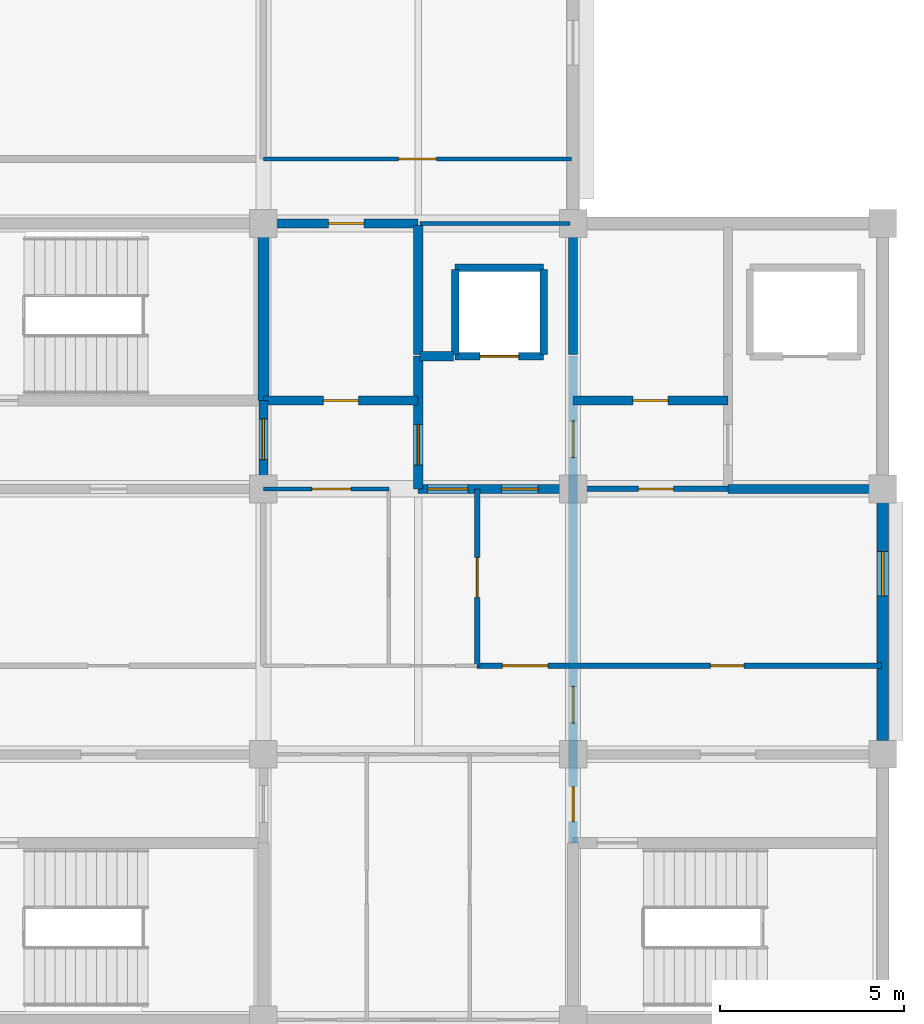
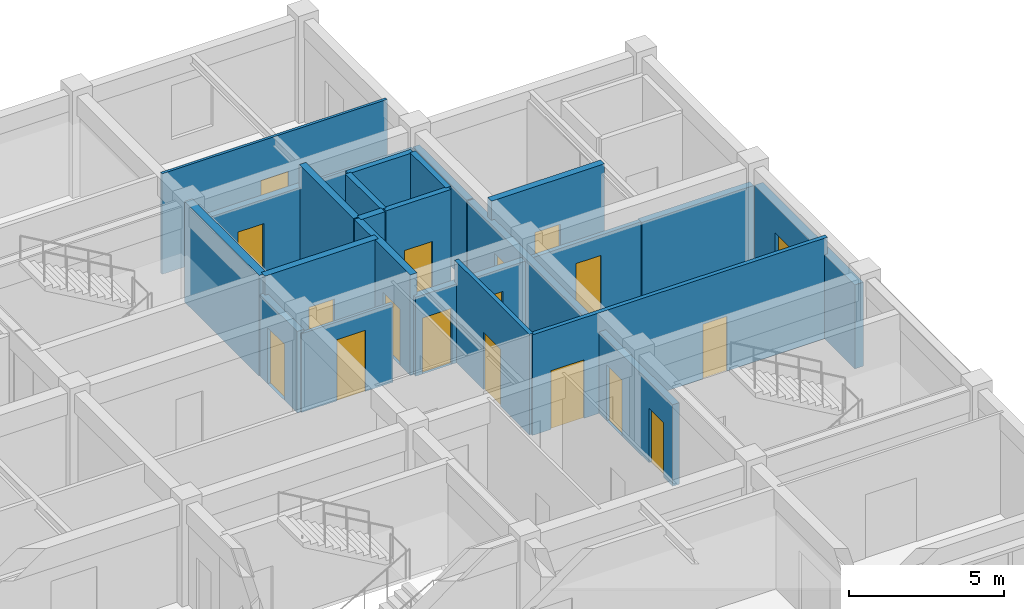
# One storey, part 22 of 27: 23 walls, 17 doors, 1 window, 18 openings.
"""IFC4 building model written with IfcOpenShell, lengths in metres."""

from ifc_helpers import new_model, si_unit, direction, frame, frame_2d, origin, place, context, subcontext, project, spatial, rectangle, extrude, material, layer, layer_set, type_object, element, fill, save


model = new_model("IFC4")

# Units and contexts
model_context = context("Model", 3, precision=1e-05, world=origin(), true_north=direction((0.0, 1.0)))
body_context = subcontext(model_context, "Body", "Model", "MODEL_VIEW")
ifc_project = project(units=[si_unit("LENGTHUNIT", "METRE"), si_unit("AREAUNIT", "SQUARE_METRE"), si_unit("VOLUMEUNIT", "CUBIC_METRE"), si_unit("PLANEANGLEUNIT", "RADIAN"), si_unit("MASSUNIT", "GRAM", prefix="KILO")], contexts=[model_context])

# Site, building, storey
site_placement = place(None, origin())
site = spatial("IfcSite", under=ifc_project, at=site_placement, CompositionType="ELEMENT")
building_placement = place(site_placement, origin())
building = spatial("IfcBuilding", under=site, at=building_placement, Name="Chengyuan Square Courthouse", CompositionType="ELEMENT")
storey_placement = place(building_placement, frame((0.0, 0.0, 39.300048828125)))
storey = spatial("IfcBuildingStorey", under=building, at=storey_placement, Name="L09", CompositionType="ELEMENT", Elevation=39.300048828125)

# Wall, opening, window
ifc_material_1 = material(Name="Concrete C40", Category="concrete")
ifc_layer_1 = layer(ifc_material_1, 0.320068359375)
ifc_layer_set_1 = layer_set([ifc_layer_1], Name="Concrete C40")
wall_type_1 = type_object("IfcWallType", Name="WL-EW3", PredefinedType="STANDARD", material=ifc_layer_set_1)
wall_1_placement = place(storey_placement, frame((126.0, 93.969970703125, 0.0), z_axis=(0.0, 0.0, 1.0), x_axis=(0.0, 1.0, 0.0)))
wall_1 = element("IfcWall", 1, at=wall_1_placement, inside=storey, type_object=wall_type_1, Name="Exterior Wall WL-L09-E426", PredefinedType="STANDARD", context=body_context, shape_type="SweptSolid", body=[
    extrude(rectangle(XDim=6.4599609375, YDim=0.320068359375, at=frame_2d((3.22998046875, 0.0))), origin(), (0.0, 0.0, 1.0), 3.300048828125),
])
opening_1_placement = place(wall_1_placement, frame((3.929931640625, 0.0, 0.85009765625)))
opening_1 = element("IfcOpeningElement", 2, at=opening_1_placement, cuts=wall_1, Name="Opening WN-168", PredefinedType="OPENING", context=body_context, shape_type="SweptSolid", body=[
    extrude(rectangle(XDim=1.199951171875, YDim=1.3798828125, at=frame_2d((0.60009765625, 0.68994140625))), frame((0.0, 0.172119140625, 0.0), z_axis=(0.0, -1.0, 0.0), x_axis=(1.0, 0.0, 0.0)), (0.0, 0.0, 1.0), 0.343994140625),
])
ifc_material_2 = material(Name="Thermally Broken Aluminium Triple Low-E Window", Category="aluminium")
window_type = type_object("IfcWindowType", Name="WT-14", PartitioningType="SINGLE_PANEL", PredefinedType="WINDOW", material=ifc_material_2)
window_placement = place(opening_1_placement, origin())
window = element("IfcWindow", 3, at=window_placement, inside=storey, type_object=window_type, Name="Facade Window WN-168", OverallHeight=1.3798828125, OverallWidth=1.199951171875, PartitioningType="SINGLE_PANEL", PredefinedType="WINDOW", context=body_context, shape_type="SweptSolid", body=[
    extrude(rectangle(XDim=1.199951171875, YDim=1.3798828125, at=frame_2d((0.60009765625, 0.68994140625))), frame((0.0, 0.030029296875, 0.0), z_axis=(0.0, -1.0, 0.0), x_axis=(1.0, 0.0, 0.0)), (0.0, 0.0, 1.0), 0.06005859375),
])
fill(opening_1, window)

# Wall, openings, doors
ifc_layer_2 = layer(ifc_material_1, 0.25)
ifc_layer_set_2 = layer_set([ifc_layer_2], Name="Concrete C40")
wall_type_2 = type_object("IfcWallType", Name="WL-FW1", PredefinedType="STANDARD", material=ifc_layer_set_2)
wall_2_placement = place(storey_placement, frame((113.39990234375, 100.800048828125, 0.0), z_axis=(0.0, 0.0, 1.0), x_axis=(1.0, 0.0, 0.0)))
wall_2 = element("IfcWall", 4, at=wall_2_placement, inside=storey, type_object=wall_type_2, Name="Interior Wall WL-L09-I3137", PredefinedType="STANDARD", context=body_context, shape_type="SweptSolid", body=[
    extrude(rectangle(XDim=4.2001953125, YDim=0.25, at=frame_2d((2.10009765625, 0.0))), origin(), (0.0, 0.0, 1.0), 3.099853515625),
])
opening_2_placement = place(wall_2_placement, frame((0.25, 0.0, 0.0)))
opening_2 = element("IfcOpeningElement", 5, at=opening_2_placement, cuts=wall_2, Name="Opening DR-2694", PredefinedType="OPENING", context=body_context, shape_type="SweptSolid", body=[
    extrude(rectangle(XDim=1.10009765625, YDim=2.199951171875, at=frame_2d((0.550048828125, 1.10009765625))), frame((0.0, 0.136962890625, 0.0), z_axis=(0.0, -1.0, 0.0), x_axis=(1.0, 0.0, 0.0)), (0.0, 0.0, 1.0), 0.27392578125),
])
opening_3_placement = place(wall_2_placement, frame((2.25244140625, 0.0, 0.0)))
opening_3 = element("IfcOpeningElement", 6, at=opening_3_placement, cuts=wall_2, Name="Opening DR-2695", PredefinedType="OPENING", context=body_context, shape_type="SweptSolid", body=[
    extrude(rectangle(XDim=1.0, YDim=2.199951171875, at=frame_2d((0.5, 1.10009765625))), frame((0.0, 0.136962890625, 0.0), z_axis=(0.0, -1.0, 0.0), x_axis=(1.0, 0.0, 0.0)), (0.0, 0.0, 1.0), 0.27392578125),
])
ifc_material_3 = material(Name="Steel Q235B Fire Door", Category="steel")
door_type_1 = type_object("IfcDoorType", Name="DT-10", OperationType="NOTDEFINED", PredefinedType="DOOR", material=ifc_material_3)
door_1_placement = place(opening_2_placement, origin())
door_1 = element("IfcDoor", 7, at=door_1_placement, inside=storey, type_object=door_type_1, Name="Interior Door DR-2694", OperationType="SINGLE_SWING_RIGHT", OverallHeight=2.199951171875, OverallWidth=1.10009765625, PredefinedType="DOOR", context=body_context, shape_type="SweptSolid", body=[
    extrude(rectangle(XDim=1.10009765625, YDim=2.199951171875, at=frame_2d((0.550048828125, 1.10009765625))), frame((0.0, 0.02490234375, 0.0), z_axis=(0.0, -1.0, 0.0), x_axis=(1.0, 0.0, 0.0)), (0.0, 0.0, 1.0), 0.050048828125),
])
fill(opening_2, door_1)
door_type_2 = type_object("IfcDoorType", Name="DT-11", OperationType="NOTDEFINED", PredefinedType="DOOR", material=ifc_material_3)
door_2_placement = place(opening_3_placement, origin())
door_2 = element("IfcDoor", 8, at=door_2_placement, inside=storey, type_object=door_type_2, Name="Interior Door DR-2695", OperationType="SINGLE_SWING_LEFT", OverallHeight=2.199951171875, OverallWidth=1.0, PredefinedType="DOOR", context=body_context, shape_type="SweptSolid", body=[
    extrude(rectangle(XDim=1.0, YDim=2.199951171875, at=frame_2d((0.5, 1.10009765625))), frame((0.0, 0.02490234375, 0.0), z_axis=(0.0, -1.0, 0.0), x_axis=(1.0, 0.0, 0.0)), (0.0, 0.0, 1.0), 0.050048828125),
])
fill(opening_3, door_2)

# Wall
wall_3_placement = place(storey_placement, frame((121.800048828125, 100.800048828125, 0.0), z_axis=(0.0, 0.0, 1.0), x_axis=(1.0, 0.0, 0.0)))
element("IfcWall", 9, at=wall_3_placement, inside=storey, type_object=wall_type_2, Name="Interior Wall WL-L09-I3139", PredefinedType="STANDARD", context=body_context, shape_type="SweptSolid", body=[
    extrude(rectangle(XDim=4.159912109375, YDim=0.25, at=frame_2d((2.080078125, 0.0))), origin(), (0.0, 0.0, 1.0), 3.099853515625),
])

# Wall, opening, door
wall_4_placement = place(storey_placement, frame((109.199951171875, 103.199951171875, 0.0), z_axis=(0.0, 0.0, 1.0), x_axis=(1.0, 0.0, 0.0)))
wall_4 = element("IfcWall", 10, at=wall_4_placement, inside=storey, type_object=wall_type_2, Name="Interior Wall WL-L09-I3146", PredefinedType="STANDARD", context=body_context, shape_type="SweptSolid", body=[
    extrude(rectangle(XDim=4.199951171875, YDim=0.25, at=frame_2d((2.10009765625, 0.0))), origin(), (0.0, 0.0, 1.0), 3.949951171875),
])
opening_4_placement = place(wall_4_placement, frame((1.625, 0.0, 0.0)))
opening_4 = element("IfcOpeningElement", 11, at=opening_4_placement, cuts=wall_4, Name="Opening DR-2690", PredefinedType="OPENING", context=body_context, shape_type="SweptSolid", body=[
    extrude(rectangle(XDim=0.949951171875, YDim=2.14990234375, at=frame_2d((0.47509765625, 1.074951171875))), frame((0.0, 0.136962890625, 0.0), z_axis=(0.0, -1.0, 0.0), x_axis=(1.0, 0.0, 0.0)), (0.0, 0.0, 1.0), 0.27392578125),
])
door_type_3 = type_object("IfcDoorType", Name="DT-12", OperationType="NOTDEFINED", PredefinedType="DOOR", material=ifc_material_3)
door_3_placement = place(opening_4_placement, origin())
door_3 = element("IfcDoor", 12, at=door_3_placement, inside=storey, type_object=door_type_3, Name="Interior Door DR-2690", OperationType="SINGLE_SWING_RIGHT", OverallHeight=2.14990234375, OverallWidth=0.949951171875, PredefinedType="DOOR", context=body_context, shape_type="SweptSolid", body=[
    extrude(rectangle(XDim=0.949951171875, YDim=2.14990234375, at=frame_2d((0.47509765625, 1.074951171875))), frame((0.0, 0.02490234375, 0.0), z_axis=(0.0, -1.0, 0.0), x_axis=(1.0, 0.0, 0.0)), (0.0, 0.0, 1.0), 0.050048828125),
])
fill(opening_4, door_3)

wall_5_placement = place(storey_placement, frame((117.60009765625, 103.199951171875, 0.0), z_axis=(0.0, 0.0, 1.0), x_axis=(1.0, 0.0, 0.0)))
wall_5 = element("IfcWall", 13, at=wall_5_placement, inside=storey, type_object=wall_type_2, Name="Interior Wall WL-L09-I3147", PredefinedType="STANDARD", context=body_context, shape_type="SweptSolid", body=[
    extrude(rectangle(XDim=4.199951171875, YDim=0.25, at=frame_2d((2.10009765625, 0.0))), origin(), (0.0, 0.0, 1.0), 3.949951171875),
])
opening_5_placement = place(wall_5_placement, frame((1.625, 0.0, 0.0)))
opening_5 = element("IfcOpeningElement", 14, at=opening_5_placement, cuts=wall_5, Name="Opening DR-2669", PredefinedType="OPENING", context=body_context, shape_type="SweptSolid", body=[
    extrude(rectangle(XDim=0.949951171875, YDim=2.14990234375, at=frame_2d((0.47509765625, 1.074951171875))), frame((0.0, 0.136962890625, 0.0), z_axis=(0.0, -1.0, 0.0), x_axis=(1.0, 0.0, 0.0)), (0.0, 0.0, 1.0), 0.27392578125),
])
door_4_placement = place(opening_5_placement, origin())
door_4 = element("IfcDoor", 15, at=door_4_placement, inside=storey, type_object=door_type_3, Name="Interior Door DR-2669", OperationType="SINGLE_SWING_RIGHT", OverallHeight=2.14990234375, OverallWidth=0.949951171875, PredefinedType="DOOR", context=body_context, shape_type="SweptSolid", body=[
    extrude(rectangle(XDim=0.949951171875, YDim=2.14990234375, at=frame_2d((0.47509765625, 1.074951171875))), frame((0.0, 0.02490234375, 0.0), z_axis=(0.0, -1.0, 0.0), x_axis=(1.0, 0.0, 0.0)), (0.0, 0.0, 1.0), 0.050048828125),
])
fill(opening_5, door_4)

# Wall
wall_6_placement = place(storey_placement, frame((113.449951171875, 104.39990234375, 0.0), z_axis=(0.0, 0.0, 1.0), x_axis=(1.0, 0.0, 0.0)))
element("IfcWall", 16, at=wall_6_placement, inside=storey, type_object=wall_type_2, Name="Interior Wall WL-L09-I3158", PredefinedType="STANDARD", context=body_context, shape_type="SweptSolid", body=[
    extrude(rectangle(XDim=0.900146484375, YDim=0.25, at=frame_2d((0.4501953125, 0.0))), origin(), (0.0, 0.0, 1.0), 3.949951171875),
])

# Wall, opening, door
wall_7_placement = place(storey_placement, frame((109.199951171875, 108.0, 0.0), z_axis=(0.0, 0.0, 1.0), x_axis=(1.0, 0.0, 0.0)))
wall_7 = element("IfcWall", 17, at=wall_7_placement, inside=storey, type_object=wall_type_2, Name="Interior Wall WL-L09-I3182", PredefinedType="STANDARD", context=body_context, shape_type="SweptSolid", body=[
    extrude(rectangle(XDim=4.199951171875, YDim=0.25, at=frame_2d((2.10009765625, 0.0))), origin(), (0.0, 0.0, 1.0), 3.099853515625),
])
opening_6_placement = place(wall_7_placement, frame((1.7724609375, 0.0, 0.0)))
opening_6 = element("IfcOpeningElement", 18, at=opening_6_placement, cuts=wall_7, Name="Opening DR-2693", PredefinedType="OPENING", context=body_context, shape_type="SweptSolid", body=[
    extrude(rectangle(XDim=0.949951171875, YDim=2.14990234375, at=frame_2d((0.47509765625, 1.074951171875))), frame((0.0, 0.136962890625, 0.0), z_axis=(0.0, -1.0, 0.0), x_axis=(1.0, 0.0, 0.0)), (0.0, 0.0, 1.0), 0.27392578125),
])
door_5_placement = place(opening_6_placement, origin())
door_5 = element("IfcDoor", 19, at=door_5_placement, inside=storey, type_object=door_type_3, Name="Interior Door DR-2693", OperationType="SINGLE_SWING_LEFT", OverallHeight=2.14990234375, OverallWidth=0.949951171875, PredefinedType="DOOR", context=body_context, shape_type="SweptSolid", body=[
    extrude(rectangle(XDim=0.949951171875, YDim=2.14990234375, at=frame_2d((0.47509765625, 1.074951171875))), frame((0.0, 0.02490234375, 0.0), z_axis=(0.0, -1.0, 0.0), x_axis=(1.0, 0.0, 0.0)), (0.0, 0.0, 1.0), 0.050048828125),
])
fill(opening_6, door_5)

wall_8_placement = place(storey_placement, frame((109.199951171875, 100.800048828125, 0.0), z_axis=(0.0, 0.0, 1.0), x_axis=(0.0, 1.0, 0.0)))
wall_8 = element("IfcWall", 20, at=wall_8_placement, inside=storey, type_object=wall_type_2, Name="Interior Wall WL-L09-I3276", PredefinedType="STANDARD", context=body_context, shape_type="SweptSolid", body=[
    extrude(rectangle(XDim=2.39990234375, YDim=0.25, at=frame_2d((1.199951171875, 0.0))), origin(), (0.0, 0.0, 1.0), 3.199951171875),
])
opening_7_placement = place(wall_8_placement, frame((0.797607421875, 0.0, 0.0)))
opening_7 = element("IfcOpeningElement", 21, at=opening_7_placement, cuts=wall_8, Name="Opening DR-2643", PredefinedType="OPENING", context=body_context, shape_type="SweptSolid", body=[
    extrude(rectangle(XDim=1.10009765625, YDim=2.199951171875, at=frame_2d((0.550048828125, 1.10009765625))), frame((0.0, 0.136962890625, 0.0), z_axis=(0.0, -1.0, 0.0), x_axis=(1.0, 0.0, 0.0)), (0.0, 0.0, 1.0), 0.27392578125),
])
door_6_placement = place(opening_7_placement, origin())
door_6 = element("IfcDoor", 22, at=door_6_placement, inside=storey, type_object=door_type_1, Name="Interior Door DR-2643", OperationType="SINGLE_SWING_RIGHT", OverallHeight=2.199951171875, OverallWidth=1.10009765625, PredefinedType="DOOR", context=body_context, shape_type="SweptSolid", body=[
    extrude(rectangle(XDim=1.10009765625, YDim=2.199951171875, at=frame_2d((0.550048828125, 1.10009765625))), frame((0.0, 0.02490234375, 0.0), z_axis=(0.0, -1.0, 0.0), x_axis=(1.0, 0.0, 0.0)), (0.0, 0.0, 1.0), 0.050048828125),
])
fill(opening_7, door_6)

wall_9_placement = place(storey_placement, frame((113.39990234375, 100.800048828125, 0.0), z_axis=(0.0, 0.0, 1.0), x_axis=(0.0, 1.0, 0.0)))
wall_9 = element("IfcWall", 23, at=wall_9_placement, inside=storey, type_object=wall_type_2, Name="Interior Wall WL-L09-I3281", PredefinedType="STANDARD", context=body_context, shape_type="SweptSolid", body=[
    extrude(rectangle(XDim=3.599853515625, YDim=0.25, at=frame_2d((1.7998046875, 0.0))), origin(), (0.0, 0.0, 1.0), 3.949951171875),
])
opening_8_placement = place(wall_9_placement, frame((0.64990234375, 0.0, 0.0)))
opening_8 = element("IfcOpeningElement", 24, at=opening_8_placement, cuts=wall_9, Name="Opening DR-2691", PredefinedType="OPENING", context=body_context, shape_type="SweptSolid", body=[
    extrude(rectangle(XDim=1.10009765625, YDim=2.199951171875, at=frame_2d((0.550048828125, 1.10009765625))), frame((0.0, 0.136962890625, 0.0), z_axis=(0.0, -1.0, 0.0), x_axis=(1.0, 0.0, 0.0)), (0.0, 0.0, 1.0), 0.27392578125),
])
door_7_placement = place(opening_8_placement, origin())
door_7 = element("IfcDoor", 25, at=door_7_placement, inside=storey, type_object=door_type_1, Name="Interior Door DR-2691", OperationType="SINGLE_SWING_LEFT", OverallHeight=2.199951171875, OverallWidth=1.10009765625, PredefinedType="DOOR", context=body_context, shape_type="SweptSolid", body=[
    extrude(rectangle(XDim=1.10009765625, YDim=2.199951171875, at=frame_2d((0.550048828125, 1.10009765625))), frame((0.0, 0.02490234375, 0.0), z_axis=(0.0, -1.0, 0.0), x_axis=(1.0, 0.0, 0.0)), (0.0, 0.0, 1.0), 0.050048828125),
])
fill(opening_8, door_7)

# Wall
wall_10_placement = place(storey_placement, frame((113.39990234375, 104.449951171875, 0.0), z_axis=(0.0, 0.0, 1.0), x_axis=(0.0, 1.0, 0.0)))
element("IfcWall", 26, at=wall_10_placement, inside=storey, type_object=wall_type_2, Name="Interior Wall WL-L09-I3282", PredefinedType="STANDARD", context=body_context, shape_type="SweptSolid", body=[
    extrude(rectangle(XDim=3.5, YDim=0.25, at=frame_2d((1.75, 0.0))), origin(), (0.0, 0.0, 1.0), 3.949951171875),
])

# Wall, openings, doors
wall_11_placement = place(storey_placement, frame((117.60009765625, 91.199951171875, 0.0), z_axis=(0.0, 0.0, 1.0), x_axis=(0.0, 1.0, 0.0)))
wall_11 = element("IfcWall", 27, at=wall_11_placement, inside=storey, type_object=wall_type_2, Name="Interior Wall WL-L09-I3289", PredefinedType="STANDARD", context=body_context, shape_type="SweptSolid", body=[
    extrude(rectangle(XDim=13.199951171875, YDim=0.25, at=frame_2d((6.60009765625, 0.0))), origin(), (0.0, 0.0, 1.0), 3.199951171875),
])
opening_9_placement = place(wall_11_placement, frame((0.577392578125, 0.0, 0.0)))
opening_9 = element("IfcOpeningElement", 28, at=opening_9_placement, cuts=wall_11, Name="Opening DR-2654", PredefinedType="OPENING", context=body_context, shape_type="SweptSolid", body=[
    extrude(rectangle(XDim=0.949951171875, YDim=2.14990234375, at=frame_2d((0.47509765625, 1.074951171875))), frame((0.0, 0.136962890625, 0.0), z_axis=(0.0, -1.0, 0.0), x_axis=(1.0, 0.0, 0.0)), (0.0, 0.0, 1.0), 0.27392578125),
])
opening_10_placement = place(wall_11_placement, frame((10.447509765625, 0.0, 0.0)))
opening_10 = element("IfcOpeningElement", 29, at=opening_10_placement, cuts=wall_11, Name="Opening DR-2671", PredefinedType="OPENING", context=body_context, shape_type="SweptSolid", body=[
    extrude(rectangle(XDim=1.0, YDim=2.199951171875, at=frame_2d((0.5, 1.10009765625))), frame((0.0, 0.136962890625, 0.0), z_axis=(0.0, -1.0, 0.0), x_axis=(1.0, 0.0, 0.0)), (0.0, 0.0, 1.0), 0.27392578125),
])
opening_11_placement = place(wall_11_placement, frame((3.24755859375, 0.0, 0.0)))
opening_11 = element("IfcOpeningElement", 30, at=opening_11_placement, cuts=wall_11, Name="Opening DR-2713", PredefinedType="OPENING", context=body_context, shape_type="SweptSolid", body=[
    extrude(rectangle(XDim=1.0, YDim=2.199951171875, at=frame_2d((0.5, 1.10009765625))), frame((0.0, 0.136962890625, 0.0), z_axis=(0.0, -1.0, 0.0), x_axis=(1.0, 0.0, 0.0)), (0.0, 0.0, 1.0), 0.27392578125),
])
door_8_placement = place(opening_10_placement, origin())
door_8 = element("IfcDoor", 31, at=door_8_placement, inside=storey, type_object=door_type_2, Name="Interior Door DR-2671", OperationType="SINGLE_SWING_RIGHT", OverallHeight=2.199951171875, OverallWidth=1.0, PredefinedType="DOOR", context=body_context, shape_type="SweptSolid", body=[
    extrude(rectangle(XDim=1.0, YDim=2.199951171875, at=frame_2d((0.5, 1.10009765625))), frame((0.0, 0.02490234375, 0.0), z_axis=(0.0, -1.0, 0.0), x_axis=(1.0, 0.0, 0.0)), (0.0, 0.0, 1.0), 0.050048828125),
])
fill(opening_10, door_8)
door_9_placement = place(opening_11_placement, origin())
door_9 = element("IfcDoor", 32, at=door_9_placement, inside=storey, type_object=door_type_2, Name="Interior Door DR-2713", OperationType="SINGLE_SWING_RIGHT", OverallHeight=2.199951171875, OverallWidth=1.0, PredefinedType="DOOR", context=body_context, shape_type="SweptSolid", body=[
    extrude(rectangle(XDim=1.0, YDim=2.199951171875, at=frame_2d((0.5, 1.10009765625))), frame((0.0, 0.02490234375, 0.0), z_axis=(0.0, -1.0, 0.0), x_axis=(1.0, 0.0, 0.0)), (0.0, 0.0, 1.0), 0.050048828125),
])
fill(opening_11, door_9)
door_10_placement = place(opening_9_placement, origin())
door_10 = element("IfcDoor", 33, at=door_10_placement, inside=storey, type_object=door_type_3, Name="Interior Door DR-2654", OperationType="SINGLE_SWING_LEFT", OverallHeight=2.14990234375, OverallWidth=0.949951171875, PredefinedType="DOOR", context=body_context, shape_type="SweptSolid", body=[
    extrude(rectangle(XDim=0.949951171875, YDim=2.14990234375, at=frame_2d((0.47509765625, 1.074951171875))), frame((0.0, 0.02490234375, 0.0), z_axis=(0.0, -1.0, 0.0), x_axis=(1.0, 0.0, 0.0)), (0.0, 0.0, 1.0), 0.050048828125),
])
fill(opening_9, door_10)

# Wall
wall_12_placement = place(storey_placement, frame((117.60009765625, 104.449951171875, 0.0), z_axis=(0.0, 0.0, 1.0), x_axis=(0.0, 1.0, 0.0)))
element("IfcWall", 34, at=wall_12_placement, inside=storey, type_object=wall_type_2, Name="Interior Wall WL-L09-I3290", PredefinedType="STANDARD", context=body_context, shape_type="SweptSolid", body=[
    extrude(rectangle(XDim=3.4599609375, YDim=0.25, at=frame_2d((1.72998046875, 0.0))), origin(), (0.0, 0.0, 1.0), 3.199951171875),
])

# Wall, openings, doors
ifc_material_4 = material(Name="Deliberation Room Sound-Insulated Partition")
ifc_layer_3 = layer(ifc_material_4, 0.14990234375)
ifc_layer_set_3 = layer_set([ifc_layer_3], Name="Deliberation Room Sound-Insulated Partition")
wall_type_3 = type_object("IfcWallType", Name="WL-PT3", PredefinedType="STANDARD", material=ifc_layer_set_3)
wall_13_placement = place(storey_placement, frame((115.0, 96.0, 0.0), z_axis=(0.0, 0.0, 1.0), x_axis=(1.0, 0.0, 0.0)))
wall_13 = element("IfcWall", 35, at=wall_13_placement, inside=storey, type_object=wall_type_3, Name="Interior Wall WL-L09-I3125", PredefinedType="STANDARD", context=body_context, shape_type="SweptSolid", body=[
    extrude(rectangle(XDim=10.9599609375, YDim=0.14990234375, at=frame_2d((5.47998046875, 0.0))), origin(), (0.0, 0.0, 1.0), 3.949951171875),
])
opening_12_placement = place(wall_13_placement, frame((0.679931640625, 0.0, 0.0)))
opening_12 = element("IfcOpeningElement", 36, at=opening_12_placement, cuts=wall_13, Name="Opening DR-2721", PredefinedType="OPENING", context=body_context, shape_type="SweptSolid", body=[
    extrude(rectangle(XDim=1.239990234375, YDim=2.300048828125, at=frame_2d((0.6201171875, 1.14990234375))), frame((0.0, 0.0869140625, 0.0), z_axis=(0.0, -1.0, 0.0), x_axis=(1.0, 0.0, 0.0)), (0.0, 0.0, 1.0), 0.173828125),
])
opening_13_placement = place(wall_13_placement, frame((6.330078125, 0.0, 0.0)))
opening_13 = element("IfcOpeningElement", 37, at=opening_13_placement, cuts=wall_13, Name="Opening DR-2728", PredefinedType="OPENING", context=body_context, shape_type="SweptSolid", body=[
    extrude(rectangle(XDim=0.89990234375, YDim=2.14990234375, at=frame_2d((0.449951171875, 1.074951171875))), frame((0.0, 0.0869140625, 0.0), z_axis=(0.0, -1.0, 0.0), x_axis=(1.0, 0.0, 0.0)), (0.0, 0.0, 1.0), 0.173828125),
])
ifc_material_5 = material(Name="Acoustic Solid-Core Timber Door", Category="wood")
door_type_4 = type_object("IfcDoorType", Name="DT-27", OperationType="NOTDEFINED", PredefinedType="DOOR", material=ifc_material_5)
door_11_placement = place(opening_13_placement, origin())
door_11 = element("IfcDoor", 38, at=door_11_placement, inside=storey, type_object=door_type_4, Name="Interior Door DR-2728", OperationType="SINGLE_SWING_LEFT", OverallHeight=2.14990234375, OverallWidth=0.89990234375, PredefinedType="DOOR", context=body_context, shape_type="SweptSolid", body=[
    extrude(rectangle(XDim=0.89990234375, YDim=2.14990234375, at=frame_2d((0.449951171875, 1.074951171875))), frame((0.0, 0.02490234375, 0.0), z_axis=(0.0, -1.0, 0.0), x_axis=(1.0, 0.0, 0.0)), (0.0, 0.0, 1.0), 0.050048828125),
])
fill(opening_13, door_11)
door_type_5 = type_object("IfcDoorType", Name="DT-37", OperationType="NOTDEFINED", PredefinedType="DOOR", material=ifc_material_5)
door_12_placement = place(opening_12_placement, origin())
door_12 = element("IfcDoor", 39, at=door_12_placement, inside=storey, type_object=door_type_5, Name="Interior Door DR-2721", OperationType="SINGLE_SWING_RIGHT", OverallHeight=2.300048828125, OverallWidth=1.239990234375, PredefinedType="DOOR", context=body_context, shape_type="SweptSolid", body=[
    extrude(rectangle(XDim=1.239990234375, YDim=2.300048828125, at=frame_2d((0.6201171875, 1.14990234375))), frame((0.0, 0.02490234375, 0.0), z_axis=(0.0, -1.0, 0.0), x_axis=(1.0, 0.0, 0.0)), (0.0, 0.0, 1.0), 0.050048828125),
])
fill(opening_12, door_12)

# Wall, opening, door
wall_14_placement = place(storey_placement, frame((117.60009765625, 100.800048828125, 0.0), z_axis=(0.0, 0.0, 1.0), x_axis=(1.0, 0.0, 0.0)))
wall_14 = element("IfcWall", 40, at=wall_14_placement, inside=storey, type_object=wall_type_3, Name="Interior Wall WL-L09-I3138", PredefinedType="STANDARD", context=body_context, shape_type="SweptSolid", body=[
    extrude(rectangle(XDim=4.199951171875, YDim=0.14990234375, at=frame_2d((2.10009765625, 0.0))), origin(), (0.0, 0.0, 1.0), 3.099853515625),
])
opening_14_placement = place(wall_14_placement, frame((1.777587890625, 0.0, 0.0)))
opening_14 = element("IfcOpeningElement", 41, at=opening_14_placement, cuts=wall_14, Name="Opening DR-2672", PredefinedType="OPENING", context=body_context, shape_type="SweptSolid", body=[
    extrude(rectangle(XDim=0.93994140625, YDim=2.300048828125, at=frame_2d((0.469970703125, 1.14990234375))), frame((0.0, 0.0869140625, 0.0), z_axis=(0.0, -1.0, 0.0), x_axis=(1.0, 0.0, 0.0)), (0.0, 0.0, 1.0), 0.173828125),
])
door_type_6 = type_object("IfcDoorType", Name="DT-39", OperationType="NOTDEFINED", PredefinedType="DOOR", material=ifc_material_5)
door_13_placement = place(opening_14_placement, origin())
door_13 = element("IfcDoor", 42, at=door_13_placement, inside=storey, type_object=door_type_6, Name="Interior Door DR-2672", OperationType="SINGLE_SWING_LEFT", OverallHeight=2.300048828125, OverallWidth=0.93994140625, PredefinedType="DOOR", context=body_context, shape_type="SweptSolid", body=[
    extrude(rectangle(XDim=0.93994140625, YDim=2.300048828125, at=frame_2d((0.469970703125, 1.14990234375))), frame((0.0, 0.02490234375, 0.0), z_axis=(0.0, -1.0, 0.0), x_axis=(1.0, 0.0, 0.0)), (0.0, 0.0, 1.0), 0.050048828125),
])
fill(opening_14, door_13)

wall_15_placement = place(storey_placement, frame((115.0, 96.0, 0.0), z_axis=(0.0, 0.0, 1.0), x_axis=(0.0, 1.0, 0.0)))
wall_15 = element("IfcWall", 43, at=wall_15_placement, inside=storey, type_object=wall_type_3, Name="Interior Wall WL-L09-I3285", PredefinedType="STANDARD", context=body_context, shape_type="SweptSolid", body=[
    extrude(rectangle(XDim=4.800048828125, YDim=0.14990234375, at=frame_2d((2.39990234375, 0.0))), origin(), (0.0, 0.0, 1.0), 3.949951171875),
])
opening_15_placement = place(wall_15_placement, frame((1.860107421875, 0.0, 0.0)))
opening_15 = element("IfcOpeningElement", 44, at=opening_15_placement, cuts=wall_15, Name="Opening DR-2734", PredefinedType="OPENING", context=body_context, shape_type="SweptSolid", body=[
    extrude(rectangle(XDim=1.080078125, YDim=2.25, at=frame_2d((0.5400390625, 1.125))), frame((0.0, 0.0869140625, 0.0), z_axis=(0.0, -1.0, 0.0), x_axis=(1.0, 0.0, 0.0)), (0.0, 0.0, 1.0), 0.173828125),
])
door_type_7 = type_object("IfcDoorType", Name="DT-33", OperationType="NOTDEFINED", PredefinedType="DOOR", material=ifc_material_5)
door_14_placement = place(opening_15_placement, origin())
door_14 = element("IfcDoor", 45, at=door_14_placement, inside=storey, type_object=door_type_7, Name="Interior Door DR-2734", OperationType="SINGLE_SWING_LEFT", OverallHeight=2.25, OverallWidth=1.080078125, PredefinedType="DOOR", context=body_context, shape_type="SweptSolid", body=[
    extrude(rectangle(XDim=1.080078125, YDim=2.25, at=frame_2d((0.5400390625, 1.125))), frame((0.0, 0.02490234375, 0.0), z_axis=(0.0, -1.0, 0.0), x_axis=(1.0, 0.0, 0.0)), (0.0, 0.0, 1.0), 0.050048828125),
])
fill(opening_15, door_14)

ifc_material_6 = material(Name="Gypsum Plasterboard Acoustic Stud Partition")
ifc_layer_4 = layer(ifc_material_6, 0.10009765625)
ifc_layer_set_4 = layer_set([ifc_layer_4], Name="Gypsum Plasterboard Acoustic Stud Partition")
wall_type_4 = type_object("IfcWallType", Name="WL-PT6", PredefinedType="STANDARD", material=ifc_layer_set_4)
wall_16_placement = place(storey_placement, frame((109.199951171875, 100.800048828125, 0.0), z_axis=(0.0, 0.0, 1.0), x_axis=(1.0, 0.0, 0.0)))
wall_16 = element("IfcWall", 46, at=wall_16_placement, inside=storey, type_object=wall_type_4, Name="Interior Wall WL-L09-I3136", PredefinedType="STANDARD", context=body_context, shape_type="SweptSolid", body=[
    extrude(rectangle(XDim=3.400146484375, YDim=0.10009765625, at=frame_2d((1.7001953125, 0.0))), origin(), (0.0, 0.0, 1.0), 3.099853515625),
])
opening_16_placement = place(wall_16_placement, frame((1.3173828125, 0.0, 0.0)))
opening_16 = element("IfcOpeningElement", 47, at=opening_16_placement, cuts=wall_16, Name="Opening DR-2692", PredefinedType="OPENING", context=body_context, shape_type="SweptSolid", body=[
    extrude(rectangle(XDim=1.06005859375, YDim=2.39990234375, at=frame_2d((0.530029296875, 1.199951171875))), frame((0.0, 0.06201171875, 0.0), z_axis=(0.0, -1.0, 0.0), x_axis=(1.0, 0.0, 0.0)), (0.0, 0.0, 1.0), 0.1240234375),
])
door_type_8 = type_object("IfcDoorType", Name="DT-42", OperationType="NOTDEFINED", PredefinedType="DOOR", material=ifc_material_5)
door_15_placement = place(opening_16_placement, origin())
door_15 = element("IfcDoor", 48, at=door_15_placement, inside=storey, type_object=door_type_8, Name="Interior Door DR-2692", OperationType="SINGLE_SWING_RIGHT", OverallHeight=2.39990234375, OverallWidth=1.06005859375, PredefinedType="DOOR", context=body_context, shape_type="SweptSolid", body=[
    extrude(rectangle(XDim=1.06005859375, YDim=2.39990234375, at=frame_2d((0.530029296875, 1.199951171875))), frame((0.0, 0.02490234375, 0.0), z_axis=(0.0, -1.0, 0.0), x_axis=(1.0, 0.0, 0.0)), (0.0, 0.0, 1.0), 0.050048828125),
])
fill(opening_16, door_15)

# Wall
wall_17_placement = place(storey_placement, frame((113.449951171875, 108.0, 0.0), z_axis=(0.0, 0.0, 1.0), x_axis=(1.0, 0.0, 0.0)))
element("IfcWall", 49, at=wall_17_placement, inside=storey, type_object=wall_type_4, Name="Interior Wall WL-L09-I3183", PredefinedType="STANDARD", context=body_context, shape_type="SweptSolid", body=[
    extrude(rectangle(XDim=4.06005859375, YDim=0.10009765625, at=frame_2d((2.030029296875, 0.0))), origin(), (0.0, 0.0, 1.0), 3.099853515625),
])

# Wall, opening, door
wall_18_placement = place(storey_placement, frame((109.199951171875, 109.75, 0.0), z_axis=(0.0, 0.0, 1.0), x_axis=(1.0, 0.0, 0.0)))
wall_18 = element("IfcWall", 50, at=wall_18_placement, inside=storey, type_object=wall_type_4, Name="Interior Wall WL-L09-I3188", PredefinedType="STANDARD", context=body_context, shape_type="SweptSolid", body=[
    extrude(rectangle(XDim=8.360107421875, YDim=0.10009765625, at=frame_2d((4.18017578125, 0.0))), origin(), (0.0, 0.0, 1.0), 3.949951171875),
])
opening_17_placement = place(wall_18_placement, frame((3.669921875, 0.0, 0.0)))
opening_17 = element("IfcOpeningElement", 51, at=opening_17_placement, cuts=wall_18, Name="Opening DR-2759", PredefinedType="OPENING", context=body_context, shape_type="SweptSolid", body=[
    extrude(rectangle(XDim=1.02001953125, YDim=2.39990234375, at=frame_2d((0.510009765625, 1.199951171875))), frame((0.0, 0.06201171875, 0.0), z_axis=(0.0, -1.0, 0.0), x_axis=(1.0, 0.0, 0.0)), (0.0, 0.0, 1.0), 0.1240234375),
])
door_type_9 = type_object("IfcDoorType", Name="DT-41", OperationType="NOTDEFINED", PredefinedType="DOOR", material=ifc_material_5)
door_16_placement = place(opening_17_placement, origin())
door_16 = element("IfcDoor", 52, at=door_16_placement, inside=storey, type_object=door_type_9, Name="Interior Door DR-2759", OperationType="SINGLE_SWING_LEFT", OverallHeight=2.39990234375, OverallWidth=1.02001953125, PredefinedType="DOOR", context=body_context, shape_type="SweptSolid", body=[
    extrude(rectangle(XDim=1.02001953125, YDim=2.39990234375, at=frame_2d((0.510009765625, 1.199951171875))), frame((0.0, 0.02490234375, 0.0), z_axis=(0.0, -1.0, 0.0), x_axis=(1.0, 0.0, 0.0)), (0.0, 0.0, 1.0), 0.050048828125),
])
fill(opening_17, door_16)

ifc_material_7 = material(Name="Reinforced Masonry Shaft Enclosure", Category="masonry")
ifc_layer_5 = layer(ifc_material_7, 0.199951171875)
ifc_layer_set_5 = layer_set([ifc_layer_5], Name="Reinforced Masonry Shaft Enclosure")
wall_type_5 = type_object("IfcWallType", Name="WL-SH1", PredefinedType="STANDARD", material=ifc_layer_set_5)
wall_19_placement = place(storey_placement, frame((114.39990234375, 104.39990234375, 0.0), z_axis=(0.0, 0.0, 1.0), x_axis=(1.0, 0.0, 0.0)))
wall_19 = element("IfcWall", 53, at=wall_19_placement, inside=storey, type_object=wall_type_5, Name="Interior Wall WL-L09-I3159", PredefinedType="STANDARD", context=body_context, shape_type="SweptSolid", body=[
    extrude(rectangle(XDim=2.400146484375, YDim=0.199951171875, at=frame_2d((1.2001953125, 0.0))), origin(), (0.0, 0.0, 1.0), 3.949951171875),
])
opening_18_placement = place(wall_19_placement, frame((0.675048828125, 0.0, 0.0)))
opening_18 = element("IfcOpeningElement", 54, at=opening_18_placement, cuts=wall_19, Name="Opening LD-164", PredefinedType="OPENING", context=body_context, shape_type="SweptSolid", body=[
    extrude(rectangle(XDim=1.050048828125, YDim=2.14990234375, at=frame_2d((0.52490234375, 1.074951171875))), frame((0.0, 0.112060546875, 0.0), z_axis=(0.0, -1.0, 0.0), x_axis=(1.0, 0.0, 0.0)), (0.0, 0.0, 1.0), 0.223876953125),
])
ifc_material_8 = material(Name="Stainless Steel S30408 Lift Landing Door", Category="steel")
door_type_10 = type_object("IfcDoorType", Name="DT-08", OperationType="DOUBLE_DOOR_SLIDING", PredefinedType="DOOR", material=ifc_material_8)
door_17_placement = place(opening_18_placement, origin())
door_17 = element("IfcDoor", 55, at=door_17_placement, inside=storey, type_object=door_type_10, Name="Lift Landing Door LF-C2 L09", OperationType="DOUBLE_DOOR_SLIDING", OverallHeight=2.14990234375, OverallWidth=1.050048828125, PredefinedType="DOOR", context=body_context, shape_type="SweptSolid", body=[
    extrude(rectangle(XDim=1.050048828125, YDim=2.14990234375, at=frame_2d((0.52490234375, 1.074951171875))), frame((0.0, 0.02490234375, 0.0), z_axis=(0.0, -1.0, 0.0), x_axis=(1.0, 0.0, 0.0)), (0.0, 0.0, 1.0), 0.050048828125),
])
fill(opening_18, door_17)

# Walls
wall_20_placement = place(storey_placement, frame((114.39990234375, 106.800048828125, 0.0), z_axis=(0.0, 0.0, 1.0), x_axis=(1.0, 0.0, 0.0)))
element("IfcWall", 56, at=wall_20_placement, inside=storey, type_object=wall_type_5, Name="Interior Wall WL-L09-I3169", PredefinedType="STANDARD", context=body_context, shape_type="SweptSolid", body=[
    extrude(rectangle(XDim=2.400146484375, YDim=0.199951171875, at=frame_2d((1.2001953125, 0.0))), origin(), (0.0, 0.0, 1.0), 3.949951171875),
])
for number, where, z_axis, x_axis, name in (
    (57, (114.39990234375, 104.449951171875, 0.0), (0.0, 0.0, 1.0), (0.0, 1.0, 0.0), "Interior Wall WL-L09-I3283"),
    (58, (116.800048828125, 104.449951171875, 0.0), (0.0, 0.0, 1.0), (0.0, 1.0, 0.0), "Interior Wall WL-L09-I3286"),
):
    element("IfcWall", number, at=place(storey_placement, frame(where, z_axis=z_axis, x_axis=x_axis)), inside=storey, type_object=wall_type_5, Name=name, PredefinedType="STANDARD", context=body_context, shape_type="SweptSolid", body=[
        extrude(rectangle(XDim=2.300048828125, YDim=0.199951171875, at=frame_2d((1.14990234375, 0.0))), origin(), (0.0, 0.0, 1.0), 3.949951171875),
    ])
ifc_layer_6 = layer(ifc_material_1, 0.300048828125)
ifc_layer_set_6 = layer_set([ifc_layer_6], Name="Concrete C40")
wall_type_6 = type_object("IfcWallType", Name="WL-SW2", PredefinedType="SHEAR", material=ifc_layer_set_6)
wall_21_placement = place(storey_placement, frame((109.199951171875, 103.199951171875, 0.0), z_axis=(0.0, 0.0, 1.0), x_axis=(0.0, 1.0, 0.0)))
element("IfcWall", 59, at=wall_21_placement, inside=storey, type_object=wall_type_6, Name="Interior Wall WL-L09-I3277", PredefinedType="SHEAR", context=body_context, shape_type="SweptSolid", body=[
    extrude(rectangle(XDim=4.800048828125, YDim=0.300048828125, at=frame_2d((2.39990234375, 0.0))), origin(), (0.0, 0.0, 1.0), 3.949951171875),
])

save(model, "model.ifc")
